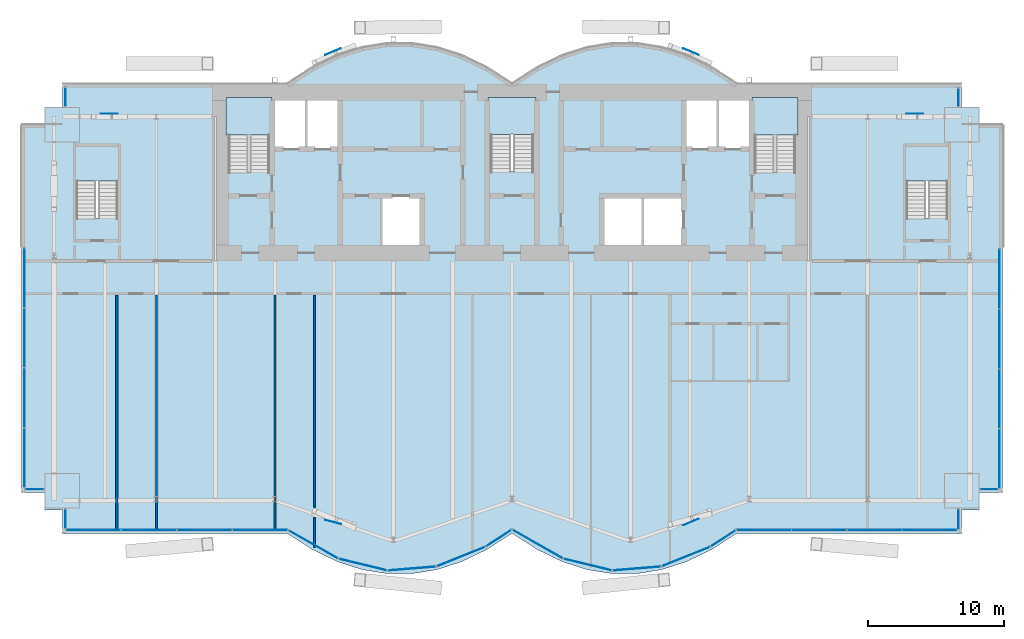
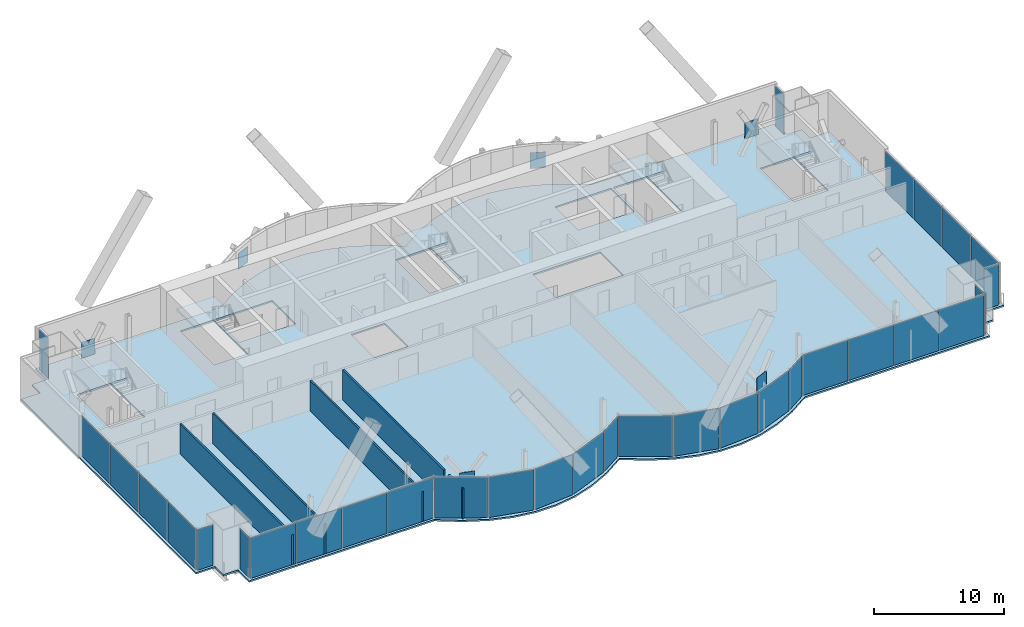
# One storey, part 14 of 21: 38 plates, 6 slabs, 5 walls, 17 elements without a shape of their own.
"""IFC4 building model written with IfcOpenShell, lengths in metres."""

from ifc_helpers import new_model, si_unit, direction, frame, frame_2d, origin, origin_2d, place, context, subcontext, project, spatial, polyline, rectangle, outline, extrude, material, layer, layer_set, type_object, element, aggregate, save


model = new_model("IFC4")

# Units and contexts
model_context = context("Model", 3, precision=1e-05, world=origin(), true_north=direction((0.0, 1.0)))
body_context = subcontext(model_context, "Body", "Model", "MODEL_VIEW")
ifc_project = project(units=[si_unit("LENGTHUNIT", "METRE"), si_unit("AREAUNIT", "SQUARE_METRE"), si_unit("VOLUMEUNIT", "CUBIC_METRE"), si_unit("PLANEANGLEUNIT", "RADIAN"), si_unit("MASSUNIT", "GRAM", prefix="KILO")], contexts=[model_context])

# Site, building, storey
site_placement = place(None, origin())
site = spatial("IfcSite", under=ifc_project, at=site_placement, CompositionType="ELEMENT")
building_placement = place(site_placement, origin())
building = spatial("IfcBuilding", under=site, at=building_placement, Name="Bicima Exchange Tower", CompositionType="ELEMENT")
storey_placement = place(building_placement, frame((0.0, 0.0, 195.0)))
storey = spatial("IfcBuildingStorey", under=building, at=storey_placement, Name="L43", CompositionType="ELEMENT", Elevation=195.0)

# Plates
ifc_material_1 = material(Name="Steel ASTM A572 Gr 50", Category="steel")
ifc_layer_1 = layer(ifc_material_1, 0.02490234375)
ifc_layer_set_1 = layer_set([ifc_layer_1], Name="Steel ASTM A572 Gr 50")
plate_type_1 = type_object("IfcPlateType", Name="Brace crossing gusset 25", PredefinedType="SHEET", material=ifc_layer_set_1)
for number, where, z_axis, x_axis, name in (
    (1, (-13.134033203125, 2.368408203125, 1.300048828125), (0.0, 0.0, 1.0), (0.920946171144, 0.389689812356, 0.0), "Brace crossing gusset plate"),
    (2, (13.134033203125, 2.368408203125, 1.300048828125), (0.0, 0.0, 1.0), (0.920946171144, -0.389689812356, 0.0), "Brace crossing gusset plate"),
    (3, (-13.104248046875, -32.154296875, 1.300048828125), (0.0, 0.0, 1.0), (0.967901583186, -0.25132951531, 0.0), "Brace crossing gusset plate"),
    (4, (13.135009765625, -32.143798828125, 1.300048828125), (0.0, 0.0, 1.0), (0.91935521456, 0.393428506163, 0.0), "Brace crossing gusset plate"),
    (5, (-29.550048828125, -2.184326171875, 1.300048828125), (0.0, 0.0, 1.0), (1.0, 0.0, 0.0), "Brace crossing gusset plate"),
    (6, (29.550048828125, -2.184326171875, 1.300048828125), (0.0, 0.0, 1.0), (1.0, 0.0, 0.0), "Brace crossing gusset plate"),
):
    element("IfcPlate", number, at=place(storey_placement, frame(where, z_axis=z_axis, x_axis=x_axis)), inside=storey, type_object=plate_type_1, Name=name, PredefinedType="SHEET", context=body_context, shape_type="SweptSolid", body=[
        extrude(rectangle(XDim=1.21923828125, YDim=0.02490234375, at=origin_2d()), origin(), (0.0, 0.0, 1.0), 1.5),
    ])

# Slab
ifc_material_2 = material(Name="Concrete C40/50", Category="concrete")
ifc_layer_2 = layer(ifc_material_2, 0.14990234375)
ifc_layer_set_2 = layer_set([ifc_layer_2], Name="Concrete C40/50")
slab_type_1 = type_object("IfcSlabType", Name="Composite floor slab 150", PredefinedType="FLOOR", material=ifc_layer_set_2)
slab_1_placement = place(storey_placement, frame((0.0, 0.0, -0.14990234375)))
element("IfcSlab", 7, at=slab_1_placement, inside=storey, type_object=slab_type_1, Name="Floor slab", PredefinedType="FLOOR", context=body_context, shape_type="SweptSolid", body=[
    extrude(outline(polyline([(-36.0, -29.971923828125), (-36.0, -3.0), (-34.300048828125, -3.0), (-34.300048828125, -1.699951171875), (-33.0, -1.699951171875), (-33.0, 0.0), (-16.5, 0.0), (-14.666748046875, 1.185302734375), (-12.833251953125, 2.07421875), (-11.0, 2.666748046875), (-9.166748046875, 2.962890625), (-7.333251953125, 2.962890625), (-5.5, 2.666748046875), (-3.666748046875, 2.07421875), (-1.833251953125, 1.185302734375), (0.0, 0.0), (1.833251953125, 1.185302734375), (3.666748046875, 2.07421875), (5.5, 2.666748046875), (7.333251953125, 2.962890625), (9.166748046875, 2.962890625), (11.0, 2.666748046875), (12.833251953125, 2.07421875), (14.666748046875, 1.185302734375), (16.5, 0.0), (33.0, 0.0), (33.0, -1.699951171875), (34.300048828125, -1.699951171875), (34.300048828125, -3.0), (36.0, -3.0), (36.0, -29.971923828125), (34.300048828125, -29.971923828125), (34.300048828125, -31.27197265625), (33.0, -31.27197265625), (33.0, -32.971923828125), (16.5, -32.971923828125), (14.666748046875, -34.1572265625), (12.833251953125, -35.046142578125), (11.0, -35.638671875), (9.166748046875, -35.93505859375), (7.333251953125, -35.93505859375), (5.5, -35.638671875), (3.666748046875, -35.046142578125), (1.833251953125, -34.1572265625), (0.0, -32.971923828125), (-1.833251953125, -34.1572265625), (-3.666748046875, -35.046142578125), (-5.5, -35.638671875), (-7.333251953125, -35.93505859375), (-9.166748046875, -35.93505859375), (-11.0, -35.638671875), (-12.833251953125, -35.046142578125), (-14.666748046875, -34.1572265625), (-16.5, -32.971923828125), (-33.0, -32.971923828125), (-33.0, -31.27197265625), (-34.300048828125, -31.27197265625), (-34.300048828125, -29.971923828125), (-36.0, -29.971923828125)]), holes=[polyline([(-6.60009765625, -11.800048828125), (-6.60009765625, -8.199951171875), (-9.60009765625, -8.199951171875), (-9.60009765625, -11.800048828125), (-6.60009765625, -11.800048828125)]), polyline([(-31.97509765625, -9.824951171875), (-28.925048828125, -9.824951171875), (-28.925048828125, -4.625), (-31.97509765625, -4.625), (-31.97509765625, -9.824951171875)]), polyline([(-20.800048828125, -6.449951171875), (-17.800048828125, -6.449951171875), (-17.800048828125, -1.199951171875), (-20.800048828125, -1.199951171875), (-20.800048828125, -6.449951171875)]), polyline([(1.574951171875, -6.39990234375), (1.574951171875, -1.199951171875), (-1.574951171875, -1.199951171875), (-1.574951171875, -6.39990234375), (1.574951171875, -6.39990234375)]), polyline([(-12.60009765625, -4.800048828125), (-12.60009765625, -1.199951171875), (-15.10009765625, -1.199951171875), (-17.60009765625, -1.199951171875), (-17.60009765625, -4.800048828125), (-15.10009765625, -4.800048828125), (-12.60009765625, -4.800048828125)]), polyline([(12.60009765625, -8.199951171875), (9.60009765625, -8.199951171875), (6.60009765625, -8.199951171875), (6.60009765625, -11.800048828125), (9.60009765625, -11.800048828125), (12.60009765625, -11.800048828125), (12.60009765625, -8.199951171875)]), polyline([(28.925048828125, -9.824951171875), (31.97509765625, -9.824951171875), (31.97509765625, -4.625), (28.925048828125, -4.625), (28.925048828125, -9.824951171875)]), polyline([(20.800048828125, -6.449951171875), (20.800048828125, -1.199951171875), (17.800048828125, -1.199951171875), (17.800048828125, -6.449951171875), (20.800048828125, -6.449951171875)]), polyline([(17.60009765625, -4.800048828125), (17.60009765625, -1.199951171875), (15.10009765625, -1.199951171875), (12.60009765625, -1.199951171875), (12.60009765625, -4.800048828125), (15.10009765625, -4.800048828125), (17.60009765625, -4.800048828125)])]), origin(), (0.0, 0.0, 1.0), 0.14990234375),
])

# Curtain wall, plates
ifc_material_3 = material(Name="Anodised bronze aluminium", Category="aluminium")
curtain_wall_type_1 = type_object("IfcCurtainWallType", Name="End face glass wall", PredefinedType="NOTDEFINED", material=ifc_material_3)
curtain_wall_1_placement = place(storey_placement, origin())
curtain_wall_1 = element("IfcCurtainWall", 8, at=curtain_wall_1_placement, inside=storey, type_object=curtain_wall_type_1, Name="End face glass wall L43 run 2", PredefinedType="NOTDEFINED")
ifc_material_4 = material(Name="Bronze tinted glass", Category="glass")
ifc_layer_3 = layer(ifc_material_4, 0.031982421875)
ifc_layer_set_3 = layer_set([ifc_layer_3], Name="Bronze tinted glass")
plate_type_2 = type_object("IfcPlateType", Name="End face glass wall glass panel 32", PredefinedType="CURTAIN_PANEL", material=ifc_layer_set_3)
plate_1_placement = place(storey_placement, frame((-35.77001953125, -14.230224609375, 0.0), z_axis=(0.0, 0.0, 1.0), x_axis=(0.0, -1.0, 0.0)))
plate_1 = element("IfcPlate", 9, at=plate_1_placement, type_object=plate_type_2, Name="End face glass wall panel 1.1", PredefinedType="CURTAIN_PANEL", context=body_context, shape_type="SweptSolid", body=[
    extrude(rectangle(XDim=4.340576171875, YDim=0.031982421875, at=origin_2d()), origin(), (0.0, 0.0, 1.0), 3.81005859375),
])
plate_2_placement = place(storey_placement, frame((-35.77001953125, -18.630615234375, 0.0), z_axis=(0.0, 0.0, 1.0), x_axis=(0.0, -1.0, 0.0)))
plate_2 = element("IfcPlate", 10, at=plate_2_placement, type_object=plate_type_2, Name="End face glass wall panel 2.1", PredefinedType="CURTAIN_PANEL", context=body_context, shape_type="SweptSolid", body=[
    extrude(rectangle(XDim=4.340576171875, YDim=0.031982421875, at=origin_2d()), origin(), (0.0, 0.0, 1.0), 3.81005859375),
])
plate_3_placement = place(storey_placement, frame((-35.77001953125, -23.03125, 0.0), z_axis=(0.0, 0.0, 1.0), x_axis=(0.0, -1.0, 0.0)))
plate_3 = element("IfcPlate", 11, at=plate_3_placement, type_object=plate_type_2, Name="End face glass wall panel 3.1", PredefinedType="CURTAIN_PANEL", context=body_context, shape_type="SweptSolid", body=[
    extrude(rectangle(XDim=4.340576171875, YDim=0.031982421875, at=origin_2d()), origin(), (0.0, 0.0, 1.0), 3.81005859375),
])

curtain_wall_2_placement = place(storey_placement, origin())
curtain_wall_2 = element("IfcCurtainWall", 12, at=curtain_wall_2_placement, inside=storey, type_object=curtain_wall_type_1, Name="End face glass wall L43 run 19", PredefinedType="NOTDEFINED")
plate_4_placement = place(storey_placement, frame((35.77001953125, -18.710693359375, 0.0), z_axis=(0.0, 0.0, 1.0), x_axis=(0.0, 1.0, 0.0)))
plate_4 = element("IfcPlate", 13, at=plate_4_placement, type_object=plate_type_2, Name="End face glass wall panel 3.1", PredefinedType="CURTAIN_PANEL", context=body_context, shape_type="SweptSolid", body=[
    extrude(rectangle(XDim=4.340576171875, YDim=0.031982421875, at=origin_2d()), origin(), (0.0, 0.0, 1.0), 3.81005859375),
])
plate_5_placement = place(storey_placement, frame((35.77001953125, -14.310302734375, 0.0), z_axis=(0.0, 0.0, 1.0), x_axis=(0.0, 1.0, 0.0)))
plate_5 = element("IfcPlate", 14, at=plate_5_placement, type_object=plate_type_2, Name="End face glass wall panel 4.1", PredefinedType="CURTAIN_PANEL", context=body_context, shape_type="SweptSolid", body=[
    extrude(rectangle(XDim=4.340576171875, YDim=0.031982421875, at=origin_2d()), origin(), (0.0, 0.0, 1.0), 3.81005859375),
])

# Plate
ifc_material_5 = material(Name="Bronze anodised aluminium", Category="aluminium")
ifc_layer_4 = layer(ifc_material_5, 0.031982421875)
ifc_layer_set_4 = layer_set([ifc_layer_4], Name="Bronze anodised aluminium")
plate_type_3 = type_object("IfcPlateType", Name="End face glass wall spandrel panel 32", PredefinedType="CURTAIN_PANEL", material=ifc_layer_set_4)
plate_6_placement = place(storey_placement, frame((-35.77001953125, -27.431884765625, 0.0), z_axis=(0.0, 0.0, 1.0), x_axis=(0.0, -1.0, 0.0)))
plate_6 = element("IfcPlate", 15, at=plate_6_placement, type_object=plate_type_3, Name="End face spandrel wall panel 4.1", PredefinedType="CURTAIN_PANEL", context=body_context, shape_type="SweptSolid", body=[
    extrude(rectangle(XDim=4.340576171875, YDim=0.031982421875, at=origin_2d()), origin(), (0.0, 0.0, 1.0), 3.81005859375),
])

aggregate(curtain_wall_1, [plate_1, plate_2, plate_3, plate_6])

plate_7_placement = place(storey_placement, frame((35.77001953125, -27.51171875, 0.0), z_axis=(0.0, 0.0, 1.0), x_axis=(0.0, 1.0, 0.0)))
plate_7 = element("IfcPlate", 16, at=plate_7_placement, type_object=plate_type_3, Name="End face spandrel wall panel 1.1", PredefinedType="CURTAIN_PANEL", context=body_context, shape_type="SweptSolid", body=[
    extrude(rectangle(XDim=4.340576171875, YDim=0.031982421875, at=origin_2d()), origin(), (0.0, 0.0, 1.0), 3.81005859375),
])

plate_8_placement = place(storey_placement, frame((35.77001953125, -23.111328125, 0.0), z_axis=(0.0, 0.0, 1.0), x_axis=(0.0, 1.0, 0.0)))
plate_8 = element("IfcPlate", 17, at=plate_8_placement, type_object=plate_type_3, Name="End face spandrel wall panel 2.1", PredefinedType="CURTAIN_PANEL", context=body_context, shape_type="SweptSolid", body=[
    extrude(rectangle(XDim=4.340576171875, YDim=0.031982421875, at=origin_2d()), origin(), (0.0, 0.0, 1.0), 3.81005859375),
])

aggregate(curtain_wall_2, [plate_7, plate_8, plate_4, plate_5])

# Curtain wall, plate
curtain_wall_type_2 = type_object("IfcCurtainWallType", Name="Front glass wall", PredefinedType="NOTDEFINED", material=ifc_material_3)
curtain_wall_3_placement = place(storey_placement, origin())
curtain_wall_3 = element("IfcCurtainWall", 18, at=curtain_wall_3_placement, inside=storey, type_object=curtain_wall_type_2, Name="Front glass wall L43 run 1", PredefinedType="NOTDEFINED")
ifc_layer_5 = layer(ifc_material_4, 0.031982421875)
ifc_layer_set_5 = layer_set([ifc_layer_5], Name="Bronze tinted glass")
plate_type_4 = type_object("IfcPlateType", Name="Front glass wall glass panel 32", PredefinedType="CURTAIN_PANEL", material=ifc_layer_set_5)
plate_9_placement = place(storey_placement, frame((-32.77001953125, -0.965087890625, 0.0), z_axis=(0.0, 0.0, 1.0), x_axis=(0.0, -1.0, 0.0)))
plate_9 = element("IfcPlate", 19, at=plate_9_placement, type_object=plate_type_4, Name="Front glass wall panel 1.1", PredefinedType="CURTAIN_PANEL", context=body_context, shape_type="SweptSolid", body=[
    extrude(rectangle(XDim=1.35009765625, YDim=0.031982421875, at=origin_2d()), origin(), (0.0, 0.0, 1.0), 3.81005859375),
])
aggregate(curtain_wall_3, [plate_9])

curtain_wall_4_placement = place(storey_placement, origin())
curtain_wall_4 = element("IfcCurtainWall", 20, at=curtain_wall_4_placement, inside=storey, type_object=curtain_wall_type_2, Name="Front glass wall L43 run 3", PredefinedType="NOTDEFINED")
plate_10_placement = place(storey_placement, frame((-35.034912109375, -29.741943359375, 0.0), z_axis=(0.0, 0.0, 1.0), x_axis=(1.0, 0.0, 0.0)))
plate_10 = element("IfcPlate", 21, at=plate_10_placement, type_object=plate_type_4, Name="Front glass wall panel 1.1", PredefinedType="CURTAIN_PANEL", context=body_context, shape_type="SweptSolid", body=[
    extrude(rectangle(XDim=1.35009765625, YDim=0.031982421875, at=origin_2d()), origin(), (0.0, 0.0, 1.0), 3.81005859375),
])
aggregate(curtain_wall_4, [plate_10])

curtain_wall_5_placement = place(storey_placement, origin())
curtain_wall_5 = element("IfcCurtainWall", 22, at=curtain_wall_5_placement, inside=storey, type_object=curtain_wall_type_2, Name="Front glass wall L43 run 4", PredefinedType="NOTDEFINED")
plate_11_placement = place(storey_placement, frame((-32.77001953125, -31.906005859375, 0.0), z_axis=(0.0, 0.0, 1.0), x_axis=(0.0, -1.0, 0.0)))
plate_11 = element("IfcPlate", 23, at=plate_11_placement, type_object=plate_type_4, Name="Front glass wall panel 1.1", PredefinedType="CURTAIN_PANEL", context=body_context, shape_type="SweptSolid", body=[
    extrude(rectangle(XDim=1.39208984375, YDim=0.031982421875, at=origin_2d()), origin(), (0.0, 0.0, 1.0), 3.81005859375),
])
aggregate(curtain_wall_5, [plate_11])

# Curtain wall, plates
curtain_wall_6_placement = place(storey_placement, origin())
curtain_wall_6 = element("IfcCurtainWall", 24, at=curtain_wall_6_placement, inside=storey, type_object=curtain_wall_type_2, Name="Front glass wall L43 run 5", PredefinedType="NOTDEFINED")
plate_12_placement = place(storey_placement, frame((-22.56640625, -32.741943359375, 0.0), z_axis=(0.0, 0.0, 1.0), x_axis=(1.0, 0.0, 0.0)))
plate_12 = element("IfcPlate", 25, at=plate_12_placement, type_object=plate_type_4, Name="Front glass wall panel 3.1", PredefinedType="CURTAIN_PANEL", context=body_context, shape_type="SweptSolid", body=[
    extrude(rectangle(XDim=4.009521484375, YDim=0.031982421875, at=origin_2d()), origin(), (0.0, 0.0, 1.0), 3.81005859375),
])
plate_13_placement = place(storey_placement, frame((-18.496826171875, -32.741943359375, 0.0), z_axis=(0.0, 0.0, 1.0), x_axis=(1.0, 0.0, 0.0)))
plate_13 = element("IfcPlate", 26, at=plate_13_placement, type_object=plate_type_4, Name="Front glass wall panel 4.1", PredefinedType="CURTAIN_PANEL", context=body_context, shape_type="SweptSolid", body=[
    extrude(rectangle(XDim=4.009521484375, YDim=0.031982421875, at=origin_2d()), origin(), (0.0, 0.0, 1.0), 3.81005859375),
])

curtain_wall_7_placement = place(storey_placement, origin())
curtain_wall_7 = element("IfcCurtainWall", 27, at=curtain_wall_7_placement, inside=storey, type_object=curtain_wall_type_2, Name="Front glass wall L43 run 6", PredefinedType="NOTDEFINED")
plate_14_placement = place(storey_placement, frame((-14.589599609375, -33.787109375, 0.0), z_axis=(0.0, 0.0, 1.0), x_axis=(0.869805110681, -0.493395449343, 0.0)))
plate_14 = element("IfcPlate", 28, at=plate_14_placement, type_object=plate_type_4, Name="Front glass wall panel 1.1", PredefinedType="CURTAIN_PANEL", context=body_context, shape_type="SweptSolid", body=[
    extrude(rectangle(XDim=4.1162109375, YDim=0.031982421875, at=origin_2d()), origin(), (0.0, 0.0, 1.0), 3.81005859375),
])
plate_15_placement = place(storey_placement, frame((-10.94775390625, -35.2685546875, 0.0), z_axis=(0.0, 0.0, 1.0), x_axis=(0.971830343553, -0.235681529503, 0.0)))
plate_15 = element("IfcPlate", 29, at=plate_15_placement, type_object=plate_type_4, Name="Front glass wall panel 1.1", PredefinedType="CURTAIN_PANEL", context=body_context, shape_type="SweptSolid", body=[
    extrude(rectangle(XDim=3.583251953125, YDim=0.031982421875, at=origin_2d()), origin(), (0.0, 0.0, 1.0), 3.81005859375),
])
plate_16_placement = place(storey_placement, frame((-0.97314453125, -33.3271484375, 0.0), z_axis=(0.0, 0.0, 1.0), x_axis=(0.839798994301, 0.542897457326, 0.0)))
plate_16 = element("IfcPlate", 30, at=plate_16_placement, type_object=plate_type_4, Name="Front glass wall panel 1.1", PredefinedType="CURTAIN_PANEL", context=body_context, shape_type="SweptSolid", body=[
    extrude(rectangle(XDim=2.197509765625, YDim=0.031982421875, at=origin_2d()), origin(), (0.0, 0.0, 1.0), 3.81005859375),
])

curtain_wall_8_placement = place(storey_placement, origin())
curtain_wall_8 = element("IfcCurtainWall", 31, at=curtain_wall_8_placement, inside=storey, type_object=curtain_wall_type_2, Name="Front glass wall L43 run 11", PredefinedType="NOTDEFINED")
plate_17_placement = place(storey_placement, frame((1.876220703125, -33.76513671875, 0.0), z_axis=(0.0, 0.0, 1.0), x_axis=(0.869274147378, -0.494330311331, 0.0)))
plate_17 = element("IfcPlate", 32, at=plate_17_placement, type_object=plate_type_4, Name="Front glass wall panel 1.1", PredefinedType="CURTAIN_PANEL", context=body_context, shape_type="SweptSolid", body=[
    extrude(rectangle(XDim=4.197021484375, YDim=0.031982421875, at=origin_2d()), origin(), (0.0, 0.0, 1.0), 3.81005859375),
])
plate_18_placement = place(storey_placement, frame((9.14892578125, -35.559814453125, 0.0), z_axis=(0.0, 0.0, 1.0), x_axis=(0.99674744821, 0.080588612633, 0.0)))
plate_18 = element("IfcPlate", 33, at=plate_18_placement, type_object=plate_type_4, Name="Front glass wall panel 1.1", PredefinedType="CURTAIN_PANEL", context=body_context, shape_type="SweptSolid", body=[
    extrude(rectangle(XDim=3.486083984375, YDim=0.031982421875, at=origin_2d()), origin(), (0.0, 0.0, 1.0), 3.81005859375),
])
plate_19_placement = place(storey_placement, frame((12.749755859375, -34.685302734375, 0.0), z_axis=(0.0, 0.0, 1.0), x_axis=(0.92714396679, 0.374705304, 0.0)))
plate_19 = element("IfcPlate", 34, at=plate_19_placement, type_object=plate_type_4, Name="Front glass wall panel 1.1", PredefinedType="CURTAIN_PANEL", context=body_context, shape_type="SweptSolid", body=[
    extrude(rectangle(XDim=3.771240234375, YDim=0.031982421875, at=origin_2d()), origin(), (0.0, 0.0, 1.0), 3.81005859375),
])
plate_20_placement = place(storey_placement, frame((15.492919921875, -33.34912109375, 0.0), z_axis=(0.0, 0.0, 1.0), x_axis=(0.839791413941, 0.542909183079, 0.0)))
plate_20 = element("IfcPlate", 35, at=plate_20_placement, type_object=plate_type_4, Name="Front glass wall panel 1.1", PredefinedType="CURTAIN_PANEL", context=body_context, shape_type="SweptSolid", body=[
    extrude(rectangle(XDim=2.11669921875, YDim=0.031982421875, at=origin_2d()), origin(), (0.0, 0.0, 1.0), 3.81005859375),
])

curtain_wall_9_placement = place(storey_placement, origin())
curtain_wall_9 = element("IfcCurtainWall", 36, at=curtain_wall_9_placement, inside=storey, type_object=curtain_wall_type_2, Name="Front glass wall L43 run 16", PredefinedType="NOTDEFINED")
plate_21_placement = place(storey_placement, frame((18.48681640625, -32.741943359375, 0.0), z_axis=(0.0, 0.0, 1.0), x_axis=(1.0, 0.0, 0.0)))
plate_21 = element("IfcPlate", 37, at=plate_21_placement, type_object=plate_type_4, Name="Front glass wall panel 1.1", PredefinedType="CURTAIN_PANEL", context=body_context, shape_type="SweptSolid", body=[
    extrude(rectangle(XDim=3.989501953125, YDim=0.031982421875, at=origin_2d()), origin(), (0.0, 0.0, 1.0), 3.81005859375),
])
plate_22_placement = place(storey_placement, frame((22.536376953125, -32.741943359375, 0.0), z_axis=(0.0, 0.0, 1.0), x_axis=(1.0, 0.0, 0.0)))
plate_22 = element("IfcPlate", 38, at=plate_22_placement, type_object=plate_type_4, Name="Front glass wall panel 2.1", PredefinedType="CURTAIN_PANEL", context=body_context, shape_type="SweptSolid", body=[
    extrude(rectangle(XDim=3.989501953125, YDim=0.031982421875, at=origin_2d()), origin(), (0.0, 0.0, 1.0), 3.81005859375),
])

# Curtain wall, plate
curtain_wall_10_placement = place(storey_placement, origin())
curtain_wall_10 = element("IfcCurtainWall", 39, at=curtain_wall_10_placement, inside=storey, type_object=curtain_wall_type_2, Name="Front glass wall L43 run 17", PredefinedType="NOTDEFINED")
plate_23_placement = place(storey_placement, frame((32.77001953125, -31.946044921875, 0.0), z_axis=(0.0, 0.0, 1.0), x_axis=(0.0, 1.0, 0.0)))
plate_23 = element("IfcPlate", 40, at=plate_23_placement, type_object=plate_type_4, Name="Front glass wall panel 1.1", PredefinedType="CURTAIN_PANEL", context=body_context, shape_type="SweptSolid", body=[
    extrude(rectangle(XDim=1.471923828125, YDim=0.031982421875, at=origin_2d()), origin(), (0.0, 0.0, 1.0), 3.81005859375),
])
aggregate(curtain_wall_10, [plate_23])

curtain_wall_11_placement = place(storey_placement, origin())
curtain_wall_11 = element("IfcCurtainWall", 41, at=curtain_wall_11_placement, inside=storey, type_object=curtain_wall_type_2, Name="Front glass wall L43 run 18", PredefinedType="NOTDEFINED")
plate_24_placement = place(storey_placement, frame((34.9951171875, -29.741943359375, 0.0), z_axis=(0.0, 0.0, 1.0), x_axis=(1.0, 0.0, 0.0)))
plate_24 = element("IfcPlate", 42, at=plate_24_placement, type_object=plate_type_4, Name="Front glass wall panel 1.1", PredefinedType="CURTAIN_PANEL", context=body_context, shape_type="SweptSolid", body=[
    extrude(rectangle(XDim=1.27001953125, YDim=0.031982421875, at=origin_2d()), origin(), (0.0, 0.0, 1.0), 3.81005859375),
])
aggregate(curtain_wall_11, [plate_24])

curtain_wall_12_placement = place(storey_placement, origin())
curtain_wall_12 = element("IfcCurtainWall", 43, at=curtain_wall_12_placement, inside=storey, type_object=curtain_wall_type_2, Name="Front glass wall L43 run 20", PredefinedType="NOTDEFINED")
plate_25_placement = place(storey_placement, frame((32.77001953125, -1.0048828125, 0.0), z_axis=(0.0, 0.0, 1.0), x_axis=(0.0, 1.0, 0.0)))
plate_25 = element("IfcPlate", 44, at=plate_25_placement, type_object=plate_type_4, Name="Front glass wall panel 1.1", PredefinedType="CURTAIN_PANEL", context=body_context, shape_type="SweptSolid", body=[
    extrude(rectangle(XDim=1.27001953125, YDim=0.031982421875, at=origin_2d()), origin(), (0.0, 0.0, 1.0), 3.81005859375),
])
aggregate(curtain_wall_12, [plate_25])

# Plate
ifc_layer_6 = layer(ifc_material_5, 0.031982421875)
ifc_layer_set_6 = layer_set([ifc_layer_6], Name="Bronze anodised aluminium")
plate_type_5 = type_object("IfcPlateType", Name="Front glass wall spandrel panel 32", PredefinedType="CURTAIN_PANEL", material=ifc_layer_set_6)
plate_26_placement = place(storey_placement, frame((-30.705322265625, -32.741943359375, 0.0), z_axis=(0.0, 0.0, 1.0), x_axis=(1.0, 0.0, 0.0)))
plate_26 = element("IfcPlate", 45, at=plate_26_placement, type_object=plate_type_5, Name="Front spandrel wall panel 1.1", PredefinedType="CURTAIN_PANEL", context=body_context, shape_type="SweptSolid", body=[
    extrude(rectangle(XDim=4.009521484375, YDim=0.031982421875, at=origin_2d()), origin(), (0.0, 0.0, 1.0), 3.81005859375),
])

plate_27_placement = place(storey_placement, frame((-26.6357421875, -32.741943359375, 0.0), z_axis=(0.0, 0.0, 1.0), x_axis=(1.0, 0.0, 0.0)))
plate_27 = element("IfcPlate", 46, at=plate_27_placement, type_object=plate_type_5, Name="Front spandrel wall panel 2.1", PredefinedType="CURTAIN_PANEL", context=body_context, shape_type="SweptSolid", body=[
    extrude(rectangle(XDim=4.009521484375, YDim=0.031982421875, at=origin_2d()), origin(), (0.0, 0.0, 1.0), 3.81005859375),
])

aggregate(curtain_wall_6, [plate_26, plate_27, plate_12, plate_13])

plate_28_placement = place(storey_placement, frame((-7.35107421875, -35.559814453125, 0.0), z_axis=(0.0, 0.0, 1.0), x_axis=(0.99674744821, 0.080588612633, 0.0)))
plate_28 = element("IfcPlate", 47, at=plate_28_placement, type_object=plate_type_5, Name="Front spandrel wall panel 1.1", PredefinedType="CURTAIN_PANEL", context=body_context, shape_type="SweptSolid", body=[
    extrude(rectangle(XDim=3.486083984375, YDim=0.031982421875, at=origin_2d()), origin(), (0.0, 0.0, 1.0), 3.81005859375),
])

plate_29_placement = place(storey_placement, frame((-3.750244140625, -34.685302734375, 0.0), z_axis=(0.0, 0.0, 1.0), x_axis=(0.92714396679, 0.374705304, 0.0)))
plate_29 = element("IfcPlate", 48, at=plate_29_placement, type_object=plate_type_5, Name="Front spandrel wall panel 1.1", PredefinedType="CURTAIN_PANEL", context=body_context, shape_type="SweptSolid", body=[
    extrude(rectangle(XDim=3.771240234375, YDim=0.031982421875, at=origin_2d()), origin(), (0.0, 0.0, 1.0), 3.81005859375),
])

aggregate(curtain_wall_7, [plate_14, plate_15, plate_28, plate_29, plate_16])

plate_30_placement = place(storey_placement, frame((5.55224609375, -35.2685546875, 0.0), z_axis=(0.0, 0.0, 1.0), x_axis=(0.971830343553, -0.235681529503, 0.0)))
plate_30 = element("IfcPlate", 49, at=plate_30_placement, type_object=plate_type_5, Name="Front spandrel wall panel 1.1", PredefinedType="CURTAIN_PANEL", context=body_context, shape_type="SweptSolid", body=[
    extrude(rectangle(XDim=3.583251953125, YDim=0.031982421875, at=origin_2d()), origin(), (0.0, 0.0, 1.0), 3.81005859375),
])

aggregate(curtain_wall_8, [plate_17, plate_30, plate_18, plate_19, plate_20])

plate_31_placement = place(storey_placement, frame((26.585693359375, -32.741943359375, 0.0), z_axis=(0.0, 0.0, 1.0), x_axis=(1.0, 0.0, 0.0)))
plate_31 = element("IfcPlate", 50, at=plate_31_placement, type_object=plate_type_5, Name="Front spandrel wall panel 3.1", PredefinedType="CURTAIN_PANEL", context=body_context, shape_type="SweptSolid", body=[
    extrude(rectangle(XDim=3.989501953125, YDim=0.031982421875, at=origin_2d()), origin(), (0.0, 0.0, 1.0), 3.81005859375),
])

plate_32_placement = place(storey_placement, frame((30.63525390625, -32.741943359375, 0.0), z_axis=(0.0, 0.0, 1.0), x_axis=(1.0, 0.0, 0.0)))
plate_32 = element("IfcPlate", 51, at=plate_32_placement, type_object=plate_type_5, Name="Front spandrel wall panel 4.1", PredefinedType="CURTAIN_PANEL", context=body_context, shape_type="SweptSolid", body=[
    extrude(rectangle(XDim=3.989501953125, YDim=0.031982421875, at=origin_2d()), origin(), (0.0, 0.0, 1.0), 3.81005859375),
])

aggregate(curtain_wall_9, [plate_21, plate_22, plate_31, plate_32])

# Stair, slab
ifc_material_6 = material(Name="Concrete C50/60", Category="concrete")
stair_type_1 = type_object("IfcStairType", Name="Exit stair", PredefinedType="HALF_TURN_STAIR", material=ifc_material_6)
stair_1_placement = place(storey_placement, origin())
stair_1 = element("IfcStair", 52, at=stair_1_placement, inside=storey, type_object=stair_type_1, Name="L43 West exit stair", PredefinedType="HALF_TURN_STAIR")
ifc_layer_7 = layer(ifc_material_6, 0.199951171875)
ifc_layer_set_7 = layer_set([ifc_layer_7], Name="Concrete C50/60")
slab_type_2 = type_object("IfcSlabType", Name="Stair landing slab", PredefinedType="LANDING", material=ifc_layer_set_7)
slab_2_placement = place(storey_placement, frame((0.0, 0.0, 1.85009765625)))
slab_2 = element("IfcSlab", 53, at=slab_2_placement, type_object=slab_type_2, Name="ST-W landing 1", PredefinedType="LANDING", context=body_context, shape_type="SweptSolid", body=[
    extrude(outline(polyline([(-17.60009765625, -3.75), (-17.60009765625, -1.0), (-21.0, -1.0), (-21.0, -3.75), (-17.60009765625, -3.75)])), origin(), (0.0, 0.0, 1.0), 0.199951171875),
])
aggregate(stair_1, [slab_2])

stair_type_2 = type_object("IfcStairType", Name="Exit stair 1500", PredefinedType="HALF_TURN_STAIR", material=ifc_material_6)
stair_2_placement = place(storey_placement, origin())
stair_2 = element("IfcStair", 54, at=stair_2_placement, inside=storey, type_object=stair_type_2, Name="L43 Central exit stair", PredefinedType="HALF_TURN_STAIR")
slab_3_placement = place(storey_placement, frame((0.0, 0.0, 1.85009765625)))
slab_3 = element("IfcSlab", 55, at=slab_3_placement, type_object=slab_type_2, Name="ST-C landing 1", PredefinedType="LANDING", context=body_context, shape_type="SweptSolid", body=[
    extrude(outline(polyline([(1.77490234375, -3.699951171875), (1.77490234375, -1.0), (-1.77490234375, -1.0), (-1.77490234375, -3.699951171875), (1.77490234375, -3.699951171875)])), origin(), (0.0, 0.0, 1.0), 0.199951171875),
])
aggregate(stair_2, [slab_3])

stair_3_placement = place(storey_placement, origin())
stair_3 = element("IfcStair", 56, at=stair_3_placement, inside=storey, type_object=stair_type_1, Name="L43 East exit stair", PredefinedType="HALF_TURN_STAIR")
slab_4_placement = place(storey_placement, frame((0.0, 0.0, 1.85009765625)))
slab_4 = element("IfcSlab", 57, at=slab_4_placement, type_object=slab_type_2, Name="ST-E landing 1", PredefinedType="LANDING", context=body_context, shape_type="SweptSolid", body=[
    extrude(outline(polyline([(21.0, -3.75), (21.0, -1.0), (17.60009765625, -1.0), (17.60009765625, -3.75), (21.0, -3.75)])), origin(), (0.0, 0.0, 1.0), 0.199951171875),
])
aggregate(stair_3, [slab_4])

stair_4_placement = place(storey_placement, origin())
stair_4 = element("IfcStair", 58, at=stair_4_placement, inside=storey, type_object=stair_type_1, Name="L43 West end exit stair", PredefinedType="HALF_TURN_STAIR")
slab_5_placement = place(storey_placement, frame((0.0, 0.0, 1.85009765625)))
slab_5 = element("IfcSlab", 59, at=slab_5_placement, type_object=slab_type_2, Name="ST-WW landing 1", PredefinedType="LANDING", context=body_context, shape_type="SweptSolid", body=[
    extrude(outline(polyline([(-28.72509765625, -7.125), (-28.72509765625, -4.425048828125), (-32.175048828125, -4.425048828125), (-32.175048828125, -7.125), (-28.72509765625, -7.125)])), origin(), (0.0, 0.0, 1.0), 0.199951171875),
])
aggregate(stair_4, [slab_5])

stair_5_placement = place(storey_placement, origin())
stair_5 = element("IfcStair", 60, at=stair_5_placement, inside=storey, type_object=stair_type_1, Name="L43 East end exit stair", PredefinedType="HALF_TURN_STAIR")
slab_6_placement = place(storey_placement, frame((0.0, 0.0, 1.85009765625)))
slab_6 = element("IfcSlab", 61, at=slab_6_placement, type_object=slab_type_2, Name="ST-EE landing 1", PredefinedType="LANDING", context=body_context, shape_type="SweptSolid", body=[
    extrude(outline(polyline([(32.175048828125, -7.125), (32.175048828125, -4.425048828125), (28.72509765625, -4.425048828125), (28.72509765625, -7.125), (32.175048828125, -7.125)])), origin(), (0.0, 0.0, 1.0), 0.199951171875),
])
aggregate(stair_5, [slab_6])

# Walls
ifc_material_7 = material(Name="Gypsum board partition")
ifc_layer_8 = layer(ifc_material_7, 0.14990234375)
ifc_layer_set_8 = layer_set([ifc_layer_8], Name="Gypsum board partition")
wall_type = type_object("IfcWallType", Name="Gypsum partition 150", PredefinedType="PARTITIONING", material=ifc_layer_set_8)
for number, where, z_axis, x_axis, name in (
    (62, (-29.0, -32.760009765625, 0.0), (0.0, 0.0, 1.0), (0.0, 1.0, 0.0), "partition wall 11"),
    (63, (-26.10009765625, -32.760009765625, 0.0), (0.0, 0.0, 1.0), (0.0, 1.0, 0.0), "partition wall 13"),
    (64, (-17.39990234375, -32.760009765625, 0.0), (0.0, 0.0, 1.0), (0.0, 1.0, 0.0), "partition wall 14"),
):
    element("IfcWall", number, at=place(storey_placement, frame(where, z_axis=z_axis, x_axis=x_axis)), inside=storey, type_object=wall_type, Name=name, PredefinedType="PARTITIONING", context=body_context, shape_type="SweptSolid", body=[
        extrude(rectangle(XDim=17.260009765625, YDim=0.14990234375, at=frame_2d((8.6298828125, 0.0))), origin(), (0.0, 0.0, 1.0), 2.84033203125),
    ])
wall_1_placement = place(storey_placement, frame((-14.5, -34.0, 0.0), z_axis=(0.0, 0.0, 1.0), x_axis=(0.0, 1.0, 0.0)))
element("IfcWall", 65, at=wall_1_placement, inside=storey, type_object=wall_type, Name="partition wall 15", PredefinedType="PARTITIONING", context=body_context, shape_type="SweptSolid", body=[
    extrude(rectangle(XDim=2.195068359375, YDim=0.14990234375, at=frame_2d((1.09765625, 0.0))), origin(), (0.0, 0.0, 1.0), 2.84033203125),
])
wall_2_placement = place(storey_placement, frame((-14.5, -31.0791015625, 0.0), z_axis=(0.0, 0.0, 1.0), x_axis=(0.0, 1.0, 0.0)))
element("IfcWall", 66, at=wall_2_placement, inside=storey, type_object=wall_type, Name="partition wall 16", PredefinedType="PARTITIONING", context=body_context, shape_type="SweptSolid", body=[
    extrude(rectangle(XDim=15.5791015625, YDim=0.14990234375, at=frame_2d((7.78955078125, 0.0))), origin(), (0.0, 0.0, 1.0), 2.84033203125),
])

save(model, "model.ifc")
